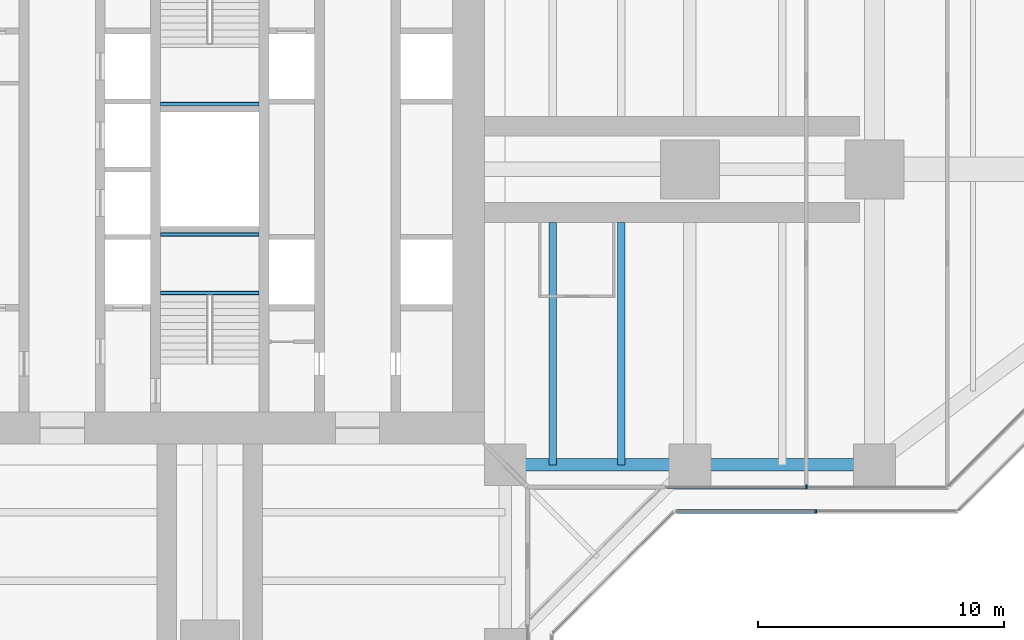
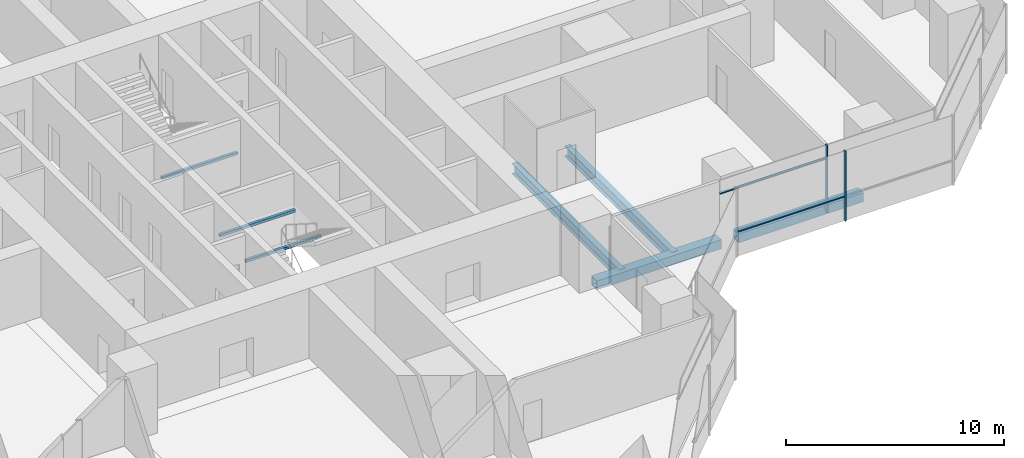
# One storey, part 5 of 20: 7 beams, 4 members, 2 elements without a shape of their own.
"""IFC4 building model written with IfcOpenShell, lengths in metres."""

from ifc_helpers import new_model, si_unit, direction, frame, origin, origin_2d, place, context, subcontext, project, spatial, rectangle, hollow_rectangle, i_section, extrude, material, material_profile, profile_set, type_object, element, aggregate, save


model = new_model("IFC4")

# Units and contexts
model_context = context("Model", 3, precision=1e-05, world=origin(), true_north=direction((0.0, 1.0)))
body_context = subcontext(model_context, "Body", "Model", "MODEL_VIEW")
ifc_project = project(units=[si_unit("LENGTHUNIT", "METRE"), si_unit("AREAUNIT", "SQUARE_METRE"), si_unit("VOLUMEUNIT", "CUBIC_METRE"), si_unit("PLANEANGLEUNIT", "RADIAN"), si_unit("MASSUNIT", "GRAM", prefix="KILO")], contexts=[model_context])

# Site, building, storey
site_placement = place(None, origin())
site = spatial("IfcSite", under=ifc_project, at=site_placement, CompositionType="ELEMENT")
building_placement = place(site_placement, origin())
building = spatial("IfcBuilding", under=site, at=building_placement, Name="Mizan Broadcast Tower", CompositionType="ELEMENT")
storey_placement = place(building_placement, frame((0.0, 0.0, 178.800048828125)))
storey = spatial("IfcBuildingStorey", under=building, at=storey_placement, Name="L41", CompositionType="ELEMENT", Elevation=178.800048828125)

# Beams
ifc_material_1 = material(Name="Steel S355", Category="steel")
ifc_material_profile_1 = material_profile(ifc_material_1, hollow_rectangle(XDim=0.5, YDim=0.5, WallThickness=0.030029296875, at=origin_2d()), Name="BOX 500x500x30")
ifc_profile_set_1 = profile_set([ifc_material_profile_1], Name="Steel S355")
beam_type_1 = type_object("IfcBeamType", Name="EDGE BEAM BOX 500x500x30", PredefinedType="SPANDREL", material=ifc_profile_set_1)
for number, where, z_axis, x_axis, name in (
    (1, (12.449951171875, -12.0, -0.380126953125), (1.0, 0.0, 0.0), (0.0, 1.0, 0.0), "Edge beam BOX 500x500x30 L41 east arm"),
    (2, (19.949951171875, -12.0, -0.380126953125), (1.0, 0.0, 0.0), (0.0, 1.0, 0.0), "Edge beam BOX 500x500x30 L41 east arm"),
):
    element("IfcBeam", number, at=place(storey_placement, frame(where, z_axis=z_axis, x_axis=x_axis)), inside=storey, type_object=beam_type_1, Name=name, PredefinedType="SPANDREL", context=body_context, shape_type="SweptSolid", body=[
        extrude(hollow_rectangle(XDim=0.5, YDim=0.5, WallThickness=0.030029296875, at=origin_2d()), origin(), (0.0, 0.0, 1.0), 6.60009765625),
    ])

# Curtain wall, members
ifc_material_2 = material(Name="Aluminium framed glazing", Category="aluminium")
curtain_wall_type_1 = type_object("IfcCurtainWallType", Name="INNER SKIN MID ZONE", PredefinedType="USERDEFINED", material=ifc_material_2)
curtain_wall_1_placement = place(storey_placement, origin())
curtain_wall_1 = element("IfcCurtainWall", 3, at=curtain_wall_1_placement, inside=storey, type_object=curtain_wall_type_1, Name="Inner skin mid zone L41 E side", ObjectType="INNER SKIN MID ZONE", PredefinedType="USERDEFINED")
ifc_material_3 = material(Name="Aluminium, pale anodised", Category="aluminium")
ifc_material_profile_2 = material_profile(ifc_material_3, rectangle(XDim=0.159912109375, YDim=0.06005859375, at=origin_2d()), Name="MULLION 160x60")
ifc_profile_set_2 = profile_set([ifc_material_profile_2], Name="Aluminium, pale anodised")
member_type_1 = type_object("IfcMemberType", Name="INNER SKIN MULLION 60x160", PredefinedType="MULLION", material=ifc_profile_set_2)
member_1_placement = place(storey_placement, frame((24.229248046875, -12.89990234375, 0.0), z_axis=(0.0, 0.0, 1.0), x_axis=(0.0, 1.0, 0.0)))
member_1 = element("IfcMember", 4, at=member_1_placement, type_object=member_type_1, Name="Inner skin mid zone L41 E side mullion 2", PredefinedType="MULLION", context=body_context, shape_type="SweptSolid", body=[
    extrude(rectangle(XDim=0.159912109375, YDim=0.06005859375, at=origin_2d()), origin(), (0.0, 0.0, 1.0), 3.77001953125),
])
ifc_material_4 = material(Name="Aluminium, pale anodised", Category="aluminium")
ifc_material_profile_3 = material_profile(ifc_material_4, rectangle(XDim=0.1201171875, YDim=0.06005859375, at=origin_2d()), Name="TRANSOM 120x60")
ifc_profile_set_3 = profile_set([ifc_material_profile_3], Name="Aluminium, pale anodised")
member_type_2 = type_object("IfcMemberType", Name="INNER SKIN TRANSOM 60x120", PredefinedType="USERDEFINED", material=ifc_profile_set_3)
member_2_placement = place(storey_placement, frame((18.56005859375, -12.89990234375, 3.030029296875), z_axis=(1.0, 0.0, 0.0), x_axis=(0.0, 1.0, 0.0)))
member_2 = element("IfcMember", 5, at=member_2_placement, type_object=member_type_2, Name="Inner skin mid zone L41 E side transom 1.1", ObjectType="TRANSOM", PredefinedType="USERDEFINED", context=body_context, shape_type="SweptSolid", body=[
    extrude(rectangle(XDim=0.1201171875, YDim=0.06005859375, at=origin_2d()), origin(), (0.0, 0.0, 1.0), 5.63916015625),
])
aggregate(curtain_wall_1, [member_1, member_2])

# Beams
ifc_material_5 = material(Name="Steel S355", Category="steel")
ifc_material_profile_4 = material_profile(ifc_material_5, hollow_rectangle(XDim=0.14990234375, YDim=0.14990234375, WallThickness=0.008056640625, InnerFilletRadius=0.008056640625, OuterFilletRadius=0.011962890625, at=origin_2d()), Name="SHS 150x150x8")
ifc_profile_set_4 = profile_set([ifc_material_profile_4], Name="Steel S355")
beam_type_2 = type_object("IfcBeamType", Name="LANDING TRIMMER SHS 150x150x8", PredefinedType="BEAM", material=ifc_profile_set_4)
for number, where, z_axis, x_axis, name in (
    (6, (-2.0, -5.02490234375, 1.675048828125), (1.0, 0.0, 0.0), (0.0, 1.0, 0.0), "Stair A landing trimmer L41"),
    (7, (-2.0, -2.64990234375, 1.675048828125), (1.0, 0.0, 0.0), (0.0, 1.0, 0.0), "Stair A landing trimmer L41"),
    (8, (2.0, 2.64990234375, 1.675048828125), (-1.0, 0.0, 0.0), (0.0, -1.0, 0.0), "Stair B landing trimmer L41"),
):
    element("IfcBeam", number, at=place(storey_placement, frame(where, z_axis=z_axis, x_axis=x_axis)), inside=storey, type_object=beam_type_2, Name=name, PredefinedType="BEAM", context=body_context, shape_type="SweptSolid", body=[
        extrude(hollow_rectangle(XDim=0.14990234375, YDim=0.14990234375, WallThickness=0.008056640625, InnerFilletRadius=0.008056640625, OuterFilletRadius=0.011962890625, at=origin_2d()), origin(), (0.0, 0.0, 1.0), 4.0),
    ])

# Curtain wall, members
ifc_material_6 = material(Name="Aluminium framed glazing", Category="aluminium")
curtain_wall_type_2 = type_object("IfcCurtainWallType", Name="OUTER SKIN", PredefinedType="USERDEFINED", material=ifc_material_6)
curtain_wall_2_placement = place(storey_placement, origin())
curtain_wall_2 = element("IfcCurtainWall", 9, at=curtain_wall_2_placement, inside=storey, type_object=curtain_wall_type_2, Name="Outer skin L41 E side", ObjectType="OUTER SKIN", PredefinedType="USERDEFINED")
ifc_material_7 = material(Name="Aluminium, pale anodised", Category="aluminium")
ifc_material_profile_5 = material_profile(ifc_material_7, rectangle(XDim=0.159912109375, YDim=0.080078125, at=origin_2d()), Name="MULLION 160x80")
ifc_profile_set_5 = profile_set([ifc_material_profile_5], Name="Aluminium, pale anodised")
member_type_3 = type_object("IfcMemberType", Name="OUTER SKIN MULLION 80x160", PredefinedType="MULLION", material=ifc_profile_set_5)
member_3_placement = place(storey_placement, frame((24.622802734375, -13.89990234375, 0.0), z_axis=(0.0, 0.0, 1.0), x_axis=(0.0, 1.0, 0.0)))
member_3 = element("IfcMember", 10, at=member_3_placement, type_object=member_type_3, Name="Outer skin L41 E side mullion 2", PredefinedType="MULLION", context=body_context, shape_type="SweptSolid", body=[
    extrude(rectangle(XDim=0.159912109375, YDim=0.080078125, at=origin_2d()), origin(), (0.0, 0.0, 1.0), 3.89990234375),
])
ifc_material_8 = material(Name="Aluminium, pale anodised", Category="aluminium")
ifc_material_profile_6 = material_profile(ifc_material_8, rectangle(XDim=0.159912109375, YDim=0.06005859375, at=origin_2d()), Name="TRANSOM 160x60")
ifc_profile_set_6 = profile_set([ifc_material_profile_6], Name="Aluminium, pale anodised")
member_type_4 = type_object("IfcMemberType", Name="OUTER SKIN TRANSOM 60x160", PredefinedType="USERDEFINED", material=ifc_profile_set_6)
member_4_placement = place(storey_placement, frame((18.952880859375, -13.89990234375, 1.39990234375), z_axis=(1.0, 0.0, 0.0), x_axis=(0.0, 1.0, 0.0)))
member_4 = element("IfcMember", 11, at=member_4_placement, type_object=member_type_4, Name="Outer skin L41 E side transom 1.1", ObjectType="TRANSOM", PredefinedType="USERDEFINED", context=body_context, shape_type="SweptSolid", body=[
    extrude(rectangle(XDim=0.159912109375, YDim=0.06005859375, at=origin_2d()), origin(), (0.0, 0.0, 1.0), 5.6298828125),
])
aggregate(curtain_wall_2, [member_3, member_4])

# Beams
ifc_material_9 = material(Name="Steel S355", Category="steel")
ifc_material_profile_7 = material_profile(ifc_material_9, i_section(OverallWidth=0.300048828125, OverallDepth=0.590087890625, WebThickness=0.012939453125, FlangeThickness=0.02490234375, FilletRadius=0.027099609375, at=origin_2d()), Name="HEA 600")
ifc_profile_set_7 = profile_set([ifc_material_profile_7], Name="Steel S355")
beam_type_3 = type_object("IfcBeamType", Name="SECONDARY BEAM HEA 600", PredefinedType="JOIST", material=ifc_profile_set_7)
for number, where, z_axis, x_axis, name in (
    (12, (13.933349609375, -12.0, -0.425048828125), (0.0, 1.0, 0.0), (-1.0, 0.0, 0.0), "Secondary beam HEA 600 L41 east arm"),
    (13, (16.716552734375, -12.0, -0.425048828125), (0.0, 1.0, 0.0), (-1.0, 0.0, 0.0), "Secondary beam HEA 600 L41 east arm"),
):
    element("IfcBeam", number, at=place(storey_placement, frame(where, z_axis=z_axis, x_axis=x_axis)), inside=storey, type_object=beam_type_3, Name=name, PredefinedType="JOIST", context=body_context, shape_type="SweptSolid", body=[
        extrude(i_section(OverallWidth=0.300048828125, OverallDepth=0.590087890625, WebThickness=0.012939453125, FlangeThickness=0.02490234375, FilletRadius=0.027099609375, at=origin_2d()), origin(), (0.0, 0.0, 1.0), 9.85009765625),
    ])

save(model, "model.ifc")
